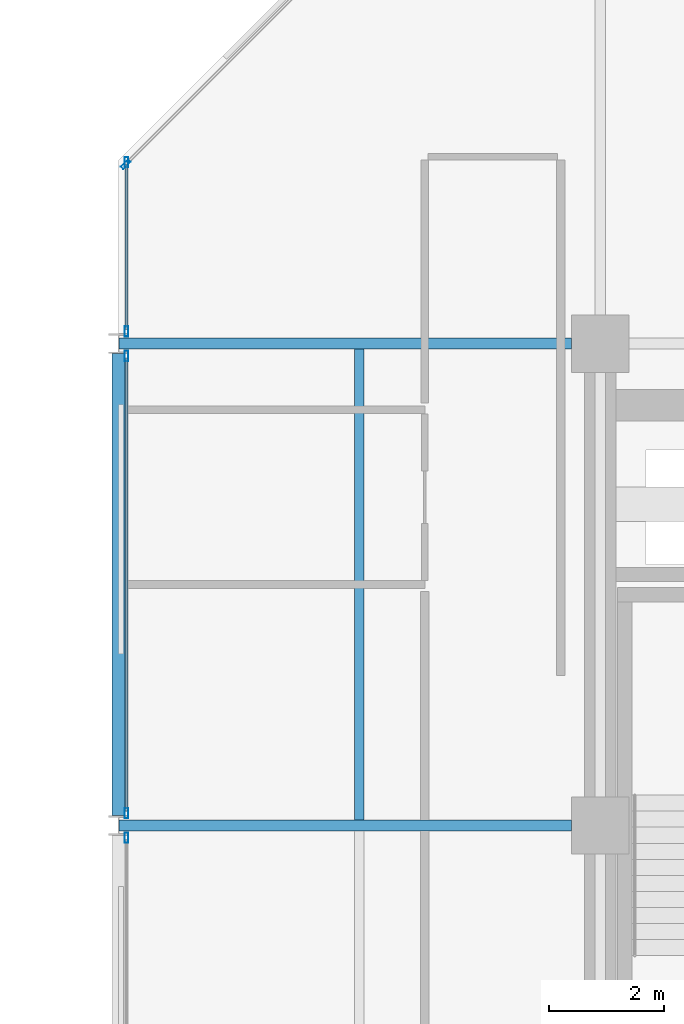
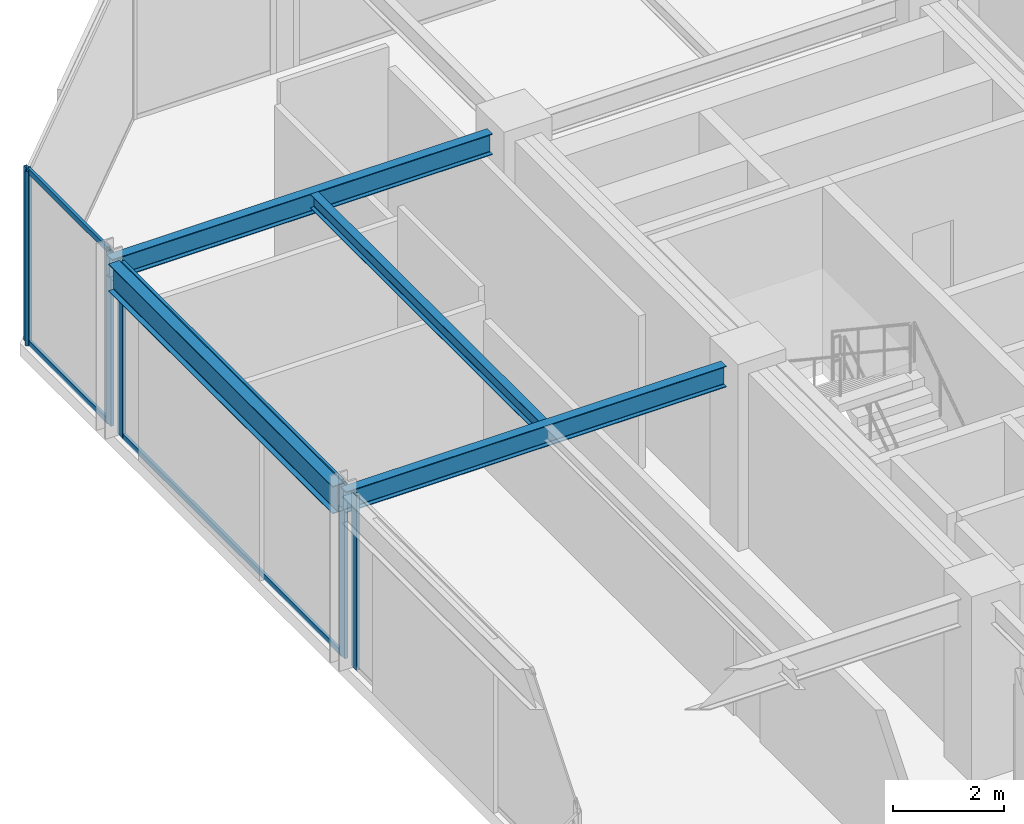
# One storey, part 17 of 29: 10 members, 4 beams, 4 elements without a shape of their own.
"""IFC4 building model written with IfcOpenShell, lengths in metres."""

import ifcopenshell
import ifcopenshell.guid

model = None  # the IFC model being written
_history = None  # IfcOwnerHistory: only IFC2X3 demands one
_inside = {}  # id of a spatial element -> (the spatial element, [elements in it])
_under = {}  # id of a project, library or spatial element -> (it, [spatial elements below it])
_declared = {}  # id of a project -> (the project, [libraries it declares])
_typed = {}  # id of a type object -> (the type object, [elements of that type])
_made_of = {}  # id of a material, layer set ... -> (it, [elements and type objects made of it])


def new_model(schema):
    """Start an empty IFC model of exactly this schema.

    Asked for "IFC4X3", IfcOpenShell would pick the latest addendum, in which some entities
    have other attributes; the version numbers below select the first issue.
    IFC2X3 requires an IfcOwnerHistory on every rooted entity: one is made here for all.
    """
    global model, _history
    if schema == "IFC4X3":
        model = ifcopenshell.file(schema_version=(4, 3, 0, 0))
    else:
        model = ifcopenshell.file(schema=schema)
    _inside.clear()
    _under.clear()
    _declared.clear()
    _typed.clear()
    _made_of.clear()
    _history = None
    if model.schema == "IFC2X3":
        org = make("IfcOrganization", Name="unknown")
        user = make(
            "IfcPersonAndOrganization",
            ThePerson=make("IfcPerson", FamilyName="unknown"),
            TheOrganization=org,
        )
        app = make(
            "IfcApplication",
            ApplicationDeveloper=org,
            Version="unknown",
            ApplicationFullName="unknown",
            ApplicationIdentifier="unknown",
        )
        _history = make(
            "IfcOwnerHistory",
            OwningUser=user,
            OwningApplication=app,
            ChangeAction="ADDED",
            CreationDate=0,
        )
    return model


def make(cls, **values):
    """One entity of the class cls with the attributes given. An attribute that is None is left unset."""
    return model.create_entity(
        cls, **{name: value for name, value in values.items() if value is not None}
    )


def rooted(cls, **values):
    """An entity with a GlobalId (a new one), such as an element, a storey or a relation."""
    return make(cls, GlobalId=ifcopenshell.guid.new(), OwnerHistory=_history, **values)


def si_unit(unit_type, name, prefix=None):
    """IfcSIUnit, for example si_unit("LENGTHUNIT", "METRE", prefix="MILLI")."""
    return make("IfcSIUnit", UnitType=unit_type, Prefix=prefix, Name=name)


def assignment(units):
    """IfcUnitAssignment: the units of a project."""
    return None if units is None else make("IfcUnitAssignment", Units=units)


def point(xyz):
    """IfcCartesianPoint."""
    return None if xyz is None else make("IfcCartesianPoint", Coordinates=xyz)


def direction(xyz):
    """IfcDirection."""
    return None if xyz is None else make("IfcDirection", DirectionRatios=xyz)


def frame(location, z_axis=None, x_axis=None):
    """IfcAxis2Placement3D, a coordinate frame: its origin and axes. An axis left out is left unset."""
    return make(
        "IfcAxis2Placement3D",
        Location=point(location),
        Axis=direction(z_axis),
        RefDirection=direction(x_axis),
    )


def frame_2d(location, x_axis=None):
    """IfcAxis2Placement2D, a coordinate frame in the plane: its origin and x axis."""
    return make(
        "IfcAxis2Placement2D", Location=point(location), RefDirection=direction(x_axis)
    )


def origin():
    """The frame at (0, 0, 0) with its axes left unset."""
    return frame((0.0, 0.0, 0.0))


def origin_2d():
    """The frame at (0, 0) in the plane with its x axis left unset."""
    return frame_2d((0.0, 0.0))


def place(relative_to, where):
    """IfcLocalPlacement: puts the frame where relative to a parent placement (None: the world)."""
    return make(
        "IfcLocalPlacement", PlacementRelTo=relative_to, RelativePlacement=where
    )


def context(
    kind, dimensions, precision=None, world=None, true_north=None, identifier=None
):
    """IfcGeometricRepresentationContext, for example the 3D "Model" context."""
    return make(
        "IfcGeometricRepresentationContext",
        ContextIdentifier=identifier,
        ContextType=kind,
        CoordinateSpaceDimension=dimensions,
        Precision=precision,
        WorldCoordinateSystem=world,
        TrueNorth=true_north,
    )


def subcontext(parent, identifier, kind, view, scale=None):
    """IfcGeometricRepresentationSubContext, for example "Body" below "Model"."""
    return make(
        "IfcGeometricRepresentationSubContext",
        ContextIdentifier=identifier,
        ContextType=kind,
        ParentContext=parent,
        TargetScale=scale,
        TargetView=view,
    )


def project(units=None, contexts=None):
    """IfcProject with its units and contexts."""
    return rooted(
        "IfcProject",
        Name="project",
        RepresentationContexts=contexts,
        UnitsInContext=assignment(units),
    )


def spatial(cls, under=None, at=None, **own):
    """A site, building, storey or space (cls), placed at a placement, below another one or the project."""
    s = rooted(cls, ObjectPlacement=at, **own)
    if under is not None:
        _under.setdefault(under.id(), (under, []))[1].append(s)
    return s


def profile(cls, at=None, kind="AREA", **sizes):
    """A parametric profile (cls). Its sizes go by their IFC names, for example OverallWidth=200.0."""
    return make(cls, ProfileType=kind, Position=at, **sizes)


def hollow_rectangle(**sizes):
    """IfcRectangleHollowProfileDef."""
    return profile("IfcRectangleHollowProfileDef", **sizes)


def i_section(**sizes):
    """IfcIShapeProfileDef."""
    return profile("IfcIShapeProfileDef", **sizes)


def extrude(swept, where, along, depth):
    """IfcExtrudedAreaSolid: the profile swept, set in the frame where, extruded along a direction by depth."""
    return make(
        "IfcExtrudedAreaSolid",
        SweptArea=swept,
        Position=where,
        ExtrudedDirection=direction(along),
        Depth=depth,
    )


def shape(context_of_items, identifier, shape_type, items):
    """IfcShapeRepresentation: the items that make up one representation, for example the "Body"."""
    return make(
        "IfcShapeRepresentation",
        ContextOfItems=context_of_items,
        RepresentationIdentifier=identifier,
        RepresentationType=shape_type,
        Items=items,
    )


def material(Name=None, Category=None):
    """IfcMaterial."""
    return make("IfcMaterial", Name=Name, Category=Category)


def layer(
    of_material, thickness, ventilated=None, Name=None, Category=None, Priority=None
):
    """IfcMaterialLayer: one layer of a wall or slab, of a material (None: an air gap)."""
    return make(
        "IfcMaterialLayer",
        Material=of_material,
        LayerThickness=thickness,
        IsVentilated=ventilated,
        Name=Name,
        Category=Category,
        Priority=Priority,
    )


def layer_set(layers, Name=None):
    """IfcMaterialLayerSet."""
    return make("IfcMaterialLayerSet", MaterialLayers=layers, LayerSetName=Name)


def material_profile(
    of_material, cross_section, Name=None, Category=None, Priority=None
):
    """IfcMaterialProfile: a cross section and its material."""
    return make(
        "IfcMaterialProfile",
        Name=Name,
        Material=of_material,
        Profile=cross_section,
        Priority=Priority,
        Category=Category,
    )


def profile_set(profiles, Name=None, composite=None):
    """IfcMaterialProfileSet."""
    return make(
        "IfcMaterialProfileSet",
        Name=Name,
        MaterialProfiles=profiles,
        CompositeProfile=composite,
    )


def made_of(thing, what):
    """Note that an element or type object is made of a material, layer set ...; save() writes the relation."""
    if what is not None:
        _made_of.setdefault(what.id(), (what, []))[1].append(thing)
    return thing


def type_object(cls, material=None, **own):
    """A type object (cls), such as IfcWallType, which elements share."""
    return made_of(rooted(cls, **own), material)


def element(
    cls,
    number,
    at=None,
    inside=None,
    cuts=None,
    type_object=None,
    material=None,
    context=None,
    identifier="Body",
    shape_type=None,
    held_by="IfcProductDefinitionShape",
    body=None,
    shapes=None,
    **own,
):
    """One element of the class cls, such as IfcWall. Its Tag is "e" and its number.

    at: its placement. inside: the storey or other place that contains it. cuts: it is an
    opening in that element (IfcRelVoidsElement). A single representation is given by context,
    identifier, shape_type and body (its items); several are given by shapes. held_by: the class
    of the entity that holds the representations. save() writes the other relations.
    """
    e = rooted(cls, Tag="e%d" % number, ObjectPlacement=at, **own)
    if body is not None:
        shapes = [shape(context, identifier, shape_type, body)]
    if shapes is not None:
        e.Representation = make(held_by, Representations=shapes)
    if inside is not None:
        _inside.setdefault(inside.id(), (inside, []))[1].append(e)
    if cuts is not None:
        rooted(
            "IfcRelVoidsElement", RelatingBuildingElement=cuts, RelatedOpeningElement=e
        )
    if type_object is not None:
        _typed.setdefault(type_object.id(), (type_object, []))[1].append(e)
    return made_of(e, material)


def aggregate(whole, parts):
    """IfcRelAggregates: a whole, such as a stair, and the parts it consists of."""
    return rooted("IfcRelAggregates", RelatingObject=whole, RelatedObjects=parts)


def save(model, path):
    """Write the relations noted so far, then the file.

    IfcRelAggregates (storeys below a building ...), IfcRelContainedInSpatialStructure (elements
    in a storey), IfcRelDefinesByType, IfcRelAssociatesMaterial and IfcRelDeclares: one each for
    every whole, place, type object, material and project.
    """
    for whole, parts in _under.values():
        aggregate(whole, parts)
    for where, things in _inside.values():
        rooted(
            "IfcRelContainedInSpatialStructure",
            RelatedElements=things,
            RelatingStructure=where,
        )
    for kind, things in _typed.values():
        rooted("IfcRelDefinesByType", RelatedObjects=things, RelatingType=kind)
    for what, things in _made_of.values():
        rooted("IfcRelAssociatesMaterial", RelatedObjects=things, RelatingMaterial=what)
    for by, libraries in _declared.values():
        rooted("IfcRelDeclares", RelatingContext=by, RelatedDefinitions=libraries)
    model.write(path)


model = new_model("IFC4")

# Units and contexts
model_context = context("Model", 3, precision=1e-05, world=origin(), true_north=direction((0.0, 1.0)))
body_context = subcontext(model_context, "Body", "Model", "MODEL_VIEW")
ifc_project = project(units=[si_unit("LENGTHUNIT", "METRE"), si_unit("AREAUNIT", "SQUARE_METRE"), si_unit("VOLUMEUNIT", "CUBIC_METRE"), si_unit("PLANEANGLEUNIT", "RADIAN"), si_unit("MASSUNIT", "GRAM", prefix="KILO")], contexts=[model_context])

# Site, building, storey
site_placement = place(None, origin())
site = spatial("IfcSite", under=ifc_project, at=site_placement, CompositionType="ELEMENT")
building_placement = place(site_placement, origin())
building = spatial("IfcBuilding", under=site, at=building_placement, Name="Nerrivon Quay Data Exchange", CompositionType="ELEMENT")
storey_placement = place(building_placement, frame((0.0, 0.0, 200.10009765625)))
storey = spatial("IfcBuildingStorey", under=building, at=storey_placement, Name="L47", CompositionType="ELEMENT", Elevation=200.10009765625)

# Beams
ifc_material_1 = material(Name="Steel Grade 350", Category="steel")
ifc_material_profile_1 = material_profile(ifc_material_1, i_section(OverallWidth=0.22802734375, OverallDepth=0.60205078125, WebThickness=0.010498046875, FlangeThickness=0.014892578125, FilletRadius=0.013916015625, at=origin_2d()), Name="610UB101")
ifc_profile_set_1 = profile_set([ifc_material_profile_1], Name="Steel Grade 350")
beam_type_1 = type_object("IfcBeamType", Name="BM-G2-610UB101", PredefinedType="BEAM", material=ifc_profile_set_1)
beam_1_placement = place(storey_placement, frame((0.0, 33.77490234375, 3.52392578125), z_axis=(0.0, 1.0, 0.0), x_axis=(-1.0, 0.0, 0.0)))
element("IfcBeam", 1, at=beam_1_placement, inside=storey, type_object=beam_type_1, Name="L47 NS Girder X=0.0 (33.6..42.0)", PredefinedType="BEAM", context=body_context, shape_type="SweptSolid", body=[
    extrude(i_section(OverallWidth=0.22802734375, OverallDepth=0.60205078125, WebThickness=0.010498046875, FlangeThickness=0.014892578125, FilletRadius=0.013916015625, at=origin_2d()), origin(), (0.0, 0.0, 1.0), 8.050048828125),
])
ifc_material_profile_2 = material_profile(ifc_material_1, i_section(OverallWidth=0.19091796875, OverallDepth=0.4599609375, WebThickness=0.010009765625, FlangeThickness=0.01611328125, FilletRadius=0.011474609375, at=origin_2d()), Name="460UB82.1")
ifc_profile_set_2 = profile_set([ifc_material_profile_2], Name="Steel Grade 350")
beam_type_2 = type_object("IfcBeamType", Name="BM-G5-460UB82", PredefinedType="BEAM", material=ifc_profile_set_2)
for number, where, z_axis, x_axis, name in (
    (2, (0.010009765625, 33.60009765625, 3.594970703125), (1.0, 0.0, 0.0), (0.0, 1.0, 0.0), "L47 EW Girder Y=33.6 (0.0..8.4)"),
    (3, (0.010009765625, 42.0, 3.594970703125), (1.0, 0.0, 0.0), (0.0, 1.0, 0.0), "L47 EW Girder Y=42.0 (0.0..8.4)"),
):
    element("IfcBeam", number, at=place(storey_placement, frame(where, z_axis=z_axis, x_axis=x_axis)), inside=storey, type_object=beam_type_2, Name=name, PredefinedType="BEAM", context=body_context, shape_type="SweptSolid", body=[
        extrude(i_section(OverallWidth=0.19091796875, OverallDepth=0.4599609375, WebThickness=0.010009765625, FlangeThickness=0.01611328125, FilletRadius=0.011474609375, at=origin_2d()), origin(), (0.0, 0.0, 1.0), 7.889892578125),
    ])
ifc_material_profile_3 = material_profile(ifc_material_1, i_section(OverallWidth=0.166015625, OverallDepth=0.306884765625, WebThickness=0.006591796875, FlangeThickness=0.01171875, FilletRadius=0.011474609375, at=origin_2d()), Name="310UB46.2")
ifc_profile_set_3 = profile_set([ifc_material_profile_3], Name="Steel Grade 350")
beam_type_3 = type_object("IfcBeamType", Name="BM-J5-310UB46", PredefinedType="JOIST", material=ifc_profile_set_3)
beam_2_placement = place(storey_placement, frame((4.199951171875, 33.695556640625, 3.67138671875), z_axis=(0.0, 1.0, 0.0), x_axis=(-1.0, 0.0, 0.0)))
element("IfcBeam", 4, at=beam_2_placement, inside=storey, type_object=beam_type_3, Name="L47 Secondary Joist X=4.2 (33.6..42.0)", PredefinedType="JOIST", context=body_context, shape_type="SweptSolid", body=[
    extrude(i_section(OverallWidth=0.166015625, OverallDepth=0.306884765625, WebThickness=0.006591796875, FlangeThickness=0.01171875, FilletRadius=0.011474609375, at=origin_2d()), origin(), (0.0, 0.0, 1.0), 8.208984375),
])

# Curtain wall, member
ifc_material_2 = material(Name="Anodised aluminium 6063-T6", Category="aluminium")
ifc_layer = layer(ifc_material_2, 0.195068359375)
ifc_layer_set = layer_set([ifc_layer], Name="Anodised aluminium 6063-T6")
curtain_wall_type = type_object("IfcCurtainWallType", Name="CW-SYS-06", PredefinedType="NOTDEFINED", material=ifc_layer_set)
curtain_wall_1_placement = place(storey_placement, origin())
curtain_wall_1 = element("IfcCurtainWall", 5, at=curtain_wall_1_placement, inside=storey, type_object=curtain_wall_type, Name="L47 Unitised Curtain Wall 4", PredefinedType="NOTDEFINED")
ifc_material_profile_4 = material_profile(ifc_material_2, hollow_rectangle(XDim=0.06494140625, YDim=0.179931640625, WallThickness=0.00341796875, at=origin_2d()), Name="ALU-MULL-180x65")
ifc_profile_set_4 = profile_set([ifc_material_profile_4], Name="Anodised aluminium 6063-T6")
member_type_1 = type_object("IfcMemberType", Name="CWM-180x65", PredefinedType="MULLION", material=ifc_profile_set_4)
member_1_placement = place(storey_placement, frame((0.139892578125, 33.387451171875, 0.0), z_axis=(0.0, 0.0, 1.0), x_axis=(-1.0, 0.0, 0.0)))
member_1 = element("IfcMember", 6, at=member_1_placement, type_object=member_type_1, Name="CW06 mullion 2", PredefinedType="MULLION", context=body_context, shape_type="SweptSolid", body=[
    extrude(hollow_rectangle(XDim=0.06494140625, YDim=0.179931640625, WallThickness=0.00341796875, at=origin_2d()), origin(), (0.0, 0.0, 1.0), 3.824951171875),
])
aggregate(curtain_wall_1, [member_1])

# Curtain wall, members
curtain_wall_2_placement = place(storey_placement, origin())
curtain_wall_2 = element("IfcCurtainWall", 7, at=curtain_wall_2_placement, inside=storey, type_object=curtain_wall_type, Name="L47 Unitised Curtain Wall 5", PredefinedType="NOTDEFINED")
member_2_placement = place(storey_placement, frame((0.139892578125, 33.8125, 0.0), z_axis=(0.0, 0.0, 1.0), x_axis=(-1.0, 0.0, 0.0)))
member_2 = element("IfcMember", 8, at=member_2_placement, type_object=member_type_1, Name="CW06 mullion 1", PredefinedType="MULLION", context=body_context, shape_type="SweptSolid", body=[
    extrude(hollow_rectangle(XDim=0.06494140625, YDim=0.179931640625, WallThickness=0.00341796875, at=origin_2d()), origin(), (0.0, 0.0, 1.0), 3.824951171875),
])
member_3_placement = place(storey_placement, frame((0.139892578125, 41.78759765625, 0.0), z_axis=(0.0, 0.0, 1.0), x_axis=(-1.0, 0.0, 0.0)))
member_3 = element("IfcMember", 9, at=member_3_placement, type_object=member_type_1, Name="CW06 mullion 2", PredefinedType="MULLION", context=body_context, shape_type="SweptSolid", body=[
    extrude(hollow_rectangle(XDim=0.06494140625, YDim=0.179931640625, WallThickness=0.00341796875, at=origin_2d()), origin(), (0.0, 0.0, 1.0), 3.824951171875),
])

curtain_wall_3_placement = place(storey_placement, origin())
curtain_wall_3 = element("IfcCurtainWall", 10, at=curtain_wall_3_placement, inside=storey, type_object=curtain_wall_type, Name="L47 Unitised Curtain Wall 6", PredefinedType="NOTDEFINED")
member_4_placement = place(storey_placement, frame((0.139892578125, 42.21240234375, 0.0), z_axis=(0.0, 0.0, 1.0), x_axis=(-1.0, 0.0, 0.0)))
member_4 = element("IfcMember", 11, at=member_4_placement, type_object=member_type_1, Name="CW06 mullion 1", PredefinedType="MULLION", context=body_context, shape_type="SweptSolid", body=[
    extrude(hollow_rectangle(XDim=0.06494140625, YDim=0.179931640625, WallThickness=0.00341796875, at=origin_2d()), origin(), (0.0, 0.0, 1.0), 3.824951171875),
])
member_5_placement = place(storey_placement, frame((0.139892578125, 45.16259765625, 0.0), z_axis=(0.0, 0.0, 1.0), x_axis=(-1.0, 0.0, 0.0)))
member_5 = element("IfcMember", 12, at=member_5_placement, type_object=member_type_1, Name="CW06 mullion 2", PredefinedType="MULLION", context=body_context, shape_type="SweptSolid", body=[
    extrude(hollow_rectangle(XDim=0.06494140625, YDim=0.179931640625, WallThickness=0.00341796875, at=origin_2d()), origin(), (0.0, 0.0, 1.0), 3.824951171875),
])

# Curtain wall, member
curtain_wall_4_placement = place(storey_placement, origin())
curtain_wall_4 = element("IfcCurtainWall", 13, at=curtain_wall_4_placement, inside=storey, type_object=curtain_wall_type, Name="L47 Unitised Curtain Wall 7", PredefinedType="NOTDEFINED")
member_6_placement = place(storey_placement, frame((0.12548828125, 45.12744140625, 0.0), z_axis=(0.0, 0.0, 1.0), x_axis=(-0.707106781187, 0.707106781187, 0.0)))
member_6 = element("IfcMember", 14, at=member_6_placement, type_object=member_type_1, Name="CW06 mullion 1", PredefinedType="MULLION", context=body_context, shape_type="SweptSolid", body=[
    extrude(hollow_rectangle(XDim=0.06494140625, YDim=0.179931640625, WallThickness=0.00341796875, at=origin_2d()), origin(), (0.0, 0.0, 1.0), 3.824951171875),
])
aggregate(curtain_wall_4, [member_6])

# Member
ifc_material_profile_5 = material_profile(ifc_material_2, hollow_rectangle(XDim=0.06005859375, YDim=0.1201171875, WallThickness=0.003173828125, at=origin_2d()), Name="ALU-TRAN-120x60")
ifc_profile_set_5 = profile_set([ifc_material_profile_5], Name="Anodised aluminium 6063-T6")
member_type_2 = type_object("IfcMemberType", Name="CWT-120x60", PredefinedType="USERDEFINED", material=ifc_profile_set_5)
member_7_placement = place(storey_placement, frame((0.139892578125, 33.85009765625, 0.032470703125), z_axis=(0.0, 1.0, 0.0), x_axis=(-1.0, 0.0, 0.0)))
member_7 = element("IfcMember", 15, at=member_7_placement, type_object=member_type_2, Name="CW06 transom 1.1", ObjectType="TRANSOM", PredefinedType="USERDEFINED", context=body_context, shape_type="SweptSolid", body=[
    extrude(hollow_rectangle(XDim=0.06005859375, YDim=0.1201171875, WallThickness=0.003173828125, at=origin_2d()), origin(), (0.0, 0.0, 1.0), 7.89990234375),
])

member_8_placement = place(storey_placement, frame((0.139892578125, 33.85009765625, 3.79248046875), z_axis=(0.0, 1.0, 0.0), x_axis=(-1.0, 0.0, 0.0)))
member_8 = element("IfcMember", 16, at=member_8_placement, type_object=member_type_2, Name="CW06 transom 1.2", ObjectType="TRANSOM", PredefinedType="USERDEFINED", context=body_context, shape_type="SweptSolid", body=[
    extrude(hollow_rectangle(XDim=0.06005859375, YDim=0.1201171875, WallThickness=0.003173828125, at=origin_2d()), origin(), (0.0, 0.0, 1.0), 7.89990234375),
])

aggregate(curtain_wall_2, [member_2, member_3, member_7, member_8])

member_9_placement = place(storey_placement, frame((0.139892578125, 42.25, 0.032470703125), z_axis=(0.0, 1.0, 0.0), x_axis=(-1.0, 0.0, 0.0)))
member_9 = element("IfcMember", 17, at=member_9_placement, type_object=member_type_2, Name="CW06 transom 1.1", ObjectType="TRANSOM", PredefinedType="USERDEFINED", context=body_context, shape_type="SweptSolid", body=[
    extrude(hollow_rectangle(XDim=0.06005859375, YDim=0.1201171875, WallThickness=0.003173828125, at=origin_2d()), origin(), (0.0, 0.0, 1.0), 2.875),
])

member_10_placement = place(storey_placement, frame((0.139892578125, 42.25, 3.79248046875), z_axis=(0.0, 1.0, 0.0), x_axis=(-1.0, 0.0, 0.0)))
member_10 = element("IfcMember", 18, at=member_10_placement, type_object=member_type_2, Name="CW06 transom 1.2", ObjectType="TRANSOM", PredefinedType="USERDEFINED", context=body_context, shape_type="SweptSolid", body=[
    extrude(hollow_rectangle(XDim=0.06005859375, YDim=0.1201171875, WallThickness=0.003173828125, at=origin_2d()), origin(), (0.0, 0.0, 1.0), 2.875),
])

aggregate(curtain_wall_3, [member_4, member_5, member_9, member_10])

save(model, "model.ifc")
